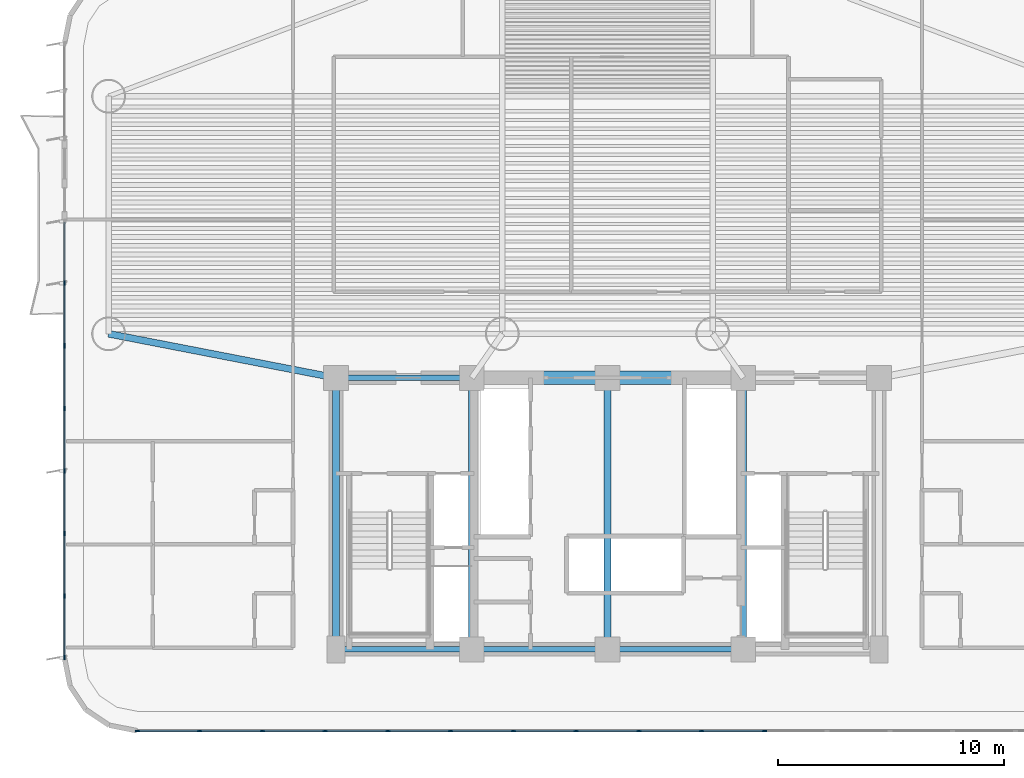
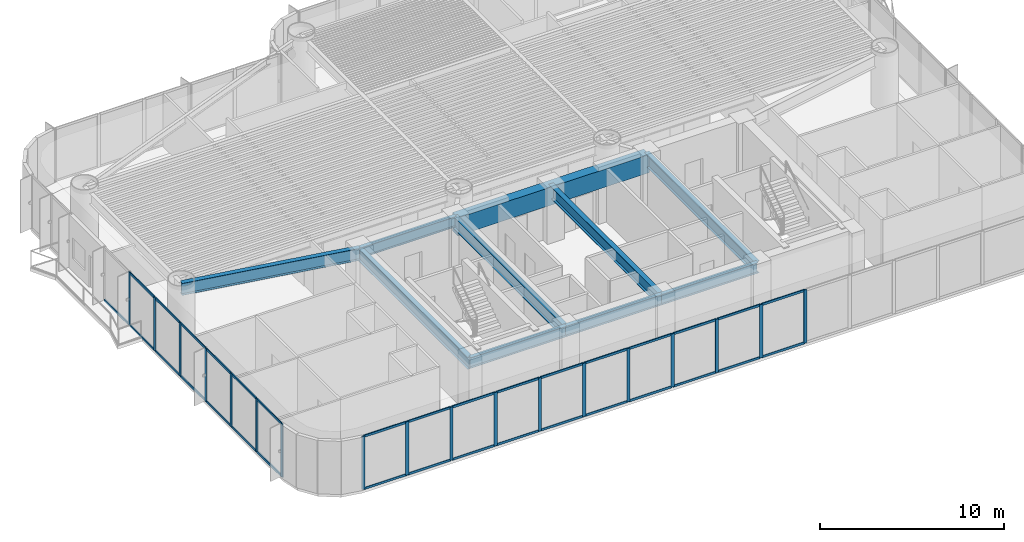
# One storey, part 2 of 17: 51 members, 10 beams, 2 elements without a shape of their own.
"""IFC4 building model written with IfcOpenShell, lengths in metres."""

from ifc_helpers import new_model, si_unit, direction, frame, origin, origin_2d, place, context, subcontext, project, spatial, rectangle, i_section, extrude, source, transform, mapped, material, layer, layer_set, material_profile, profile_set, type_object, element, aggregate, save


model = new_model("IFC4")

# Units and contexts
model_context = context("Model", 3, precision=1e-05, world=origin(), true_north=direction((0.0, 1.0)))
body_context = subcontext(model_context, "Body", "Model", "MODEL_VIEW")
ifc_project = project(units=[si_unit("LENGTHUNIT", "METRE"), si_unit("AREAUNIT", "SQUARE_METRE"), si_unit("VOLUMEUNIT", "CUBIC_METRE"), si_unit("PLANEANGLEUNIT", "RADIAN"), si_unit("MASSUNIT", "GRAM", prefix="KILO")], contexts=[model_context])

# Site, building, storey
site_placement = place(None, origin())
site = spatial("IfcSite", under=ifc_project, at=site_placement, CompositionType="ELEMENT")
building_placement = place(site_placement, origin())
building = spatial("IfcBuilding", under=site, at=building_placement, Name="Brelvock Crest Care Tower", CompositionType="ELEMENT")
storey_placement = place(building_placement, frame((0.0, 0.0, 45.89990234375)))
storey = spatial("IfcBuildingStorey", under=building, at=storey_placement, Name="L11", CompositionType="ELEMENT", Elevation=45.89990234375)

# Beams
ifc_material_1 = material(Name="Concrete S80 (80 MPa)", Category="concrete")
ifc_material_profile_1 = material_profile(ifc_material_1, rectangle(XDim=0.60009765625, YDim=1.199951171875, at=origin_2d()), Name="RC600x1200")
ifc_profile_set_1 = profile_set([ifc_material_profile_1], Name="Concrete S80 (80 MPa)")
beam_type_1 = type_object("IfcBeamType", Name="BM-LN1", PredefinedType="LINTEL", material=ifc_profile_set_1)
shared_shape_1 = source(origin(), body_context, "Body", "SweptSolid", [
    extrude(rectangle(XDim=0.60009765625, YDim=1.199951171875, at=origin_2d()), origin(), (0.0, 0.0, 1.0), 12.0),
])
beam_1_placement = place(storey_placement, frame((30.0, 18.0, 2.93017578125), z_axis=(1.0, 0.0, 0.0), x_axis=(0.0, 1.0, 0.0)))
element("IfcBeam", 1, at=beam_1_placement, inside=storey, type_object=beam_type_1, Name="L11 Core Coupling Lintel Beam", PredefinedType="LINTEL", context=body_context, shape_type="MappedRepresentation", body=[
    mapped(shared_shape_1, transform((0.0, 0.0, 0.0), x_axis=(1.0, 0.0, 0.0), y_axis=(0.0, 1.0, 0.0), z_axis=(0.0, 0.0, 1.0), scale=1.0)),
])
ifc_material_2 = material(Name="Steel Grade 350", Category="steel")
ifc_material_profile_2 = material_profile(ifc_material_2, i_section(OverallWidth=0.25, OverallDepth=0.699951171875, WebThickness=0.011962890625, FlangeThickness=0.02001953125, at=origin_2d()), Name="700WB150")
ifc_profile_set_2 = profile_set([ifc_material_profile_2], Name="Steel Grade 350")
beam_type_2 = type_object("IfcBeamType", Name="BM-G4", PredefinedType="BEAM", material=ifc_profile_set_2)
shared_shape_2 = source(origin(), body_context, "Body", "SweptSolid", [
    extrude(i_section(OverallWidth=0.25, OverallDepth=0.699951171875, WebThickness=0.011962890625, FlangeThickness=0.02001953125, at=origin_2d()), origin(), (0.0, 0.0, 1.0), 6.0),
])
for number, where, z_axis, x_axis, name in (
    (2, (24.0, 6.0, 3.18017578125), (1.0, 0.0, 0.0), (0.0, 1.0, 0.0), "BM-CORES-L11-1"),
    (3, (24.0, 18.0, 3.18017578125), (1.0, 0.0, 0.0), (0.0, 1.0, 0.0), "BM-COREN-L11-1"),
    (4, (30.0, 6.0, 3.18017578125), (1.0, 0.0, 0.0), (0.0, 1.0, 0.0), "BM-CORES-L11-2"),
    (5, (36.0, 6.0, 3.18017578125), (1.0, 0.0, 0.0), (0.0, 1.0, 0.0), "BM-CORES-L11-3"),
):
    element("IfcBeam", number, at=place(storey_placement, frame(where, z_axis=z_axis, x_axis=x_axis)), inside=storey, type_object=beam_type_2, Name=name, PredefinedType="BEAM", context=body_context, shape_type="MappedRepresentation", body=[
        mapped(shared_shape_2, transform((0.0, 0.0, 0.0), x_axis=(1.0, 0.0, 0.0), y_axis=(0.0, 1.0, 0.0), z_axis=(0.0, 0.0, 1.0), scale=1.0)),
    ])
ifc_material_profile_3 = material_profile(ifc_material_2, i_section(OverallWidth=0.300048828125, OverallDepth=0.800048828125, WebThickness=0.013916015625, FlangeThickness=0.02197265625, at=origin_2d()), Name="800WB192")
ifc_profile_set_3 = profile_set([ifc_material_profile_3], Name="Steel Grade 350")
beam_type_3 = type_object("IfcBeamType", Name="BM-G5", PredefinedType="BEAM", material=ifc_profile_set_3)
shared_shape_3 = source(origin(), body_context, "Body", "SweptSolid", [
    extrude(i_section(OverallWidth=0.300048828125, OverallDepth=0.800048828125, WebThickness=0.013916015625, FlangeThickness=0.02197265625, at=origin_2d()), origin(), (0.0, 0.0, 1.0), 12.0),
])
for number, where, z_axis, x_axis, name in (
    (6, (24.0, 6.0, 3.130126953125), (0.0, 1.0, 0.0), (-1.0, 0.0, 0.0), "BM-COREX-L11-1"),
    (7, (30.0, 6.0, 3.130126953125), (0.0, 1.0, 0.0), (-1.0, 0.0, 0.0), "BM-COREX-L11-2"),
    (8, (36.0, 6.0, 3.130126953125), (0.0, 1.0, 0.0), (-1.0, 0.0, 0.0), "BM-COREX-L11-3"),
    (9, (42.0, 6.0, 3.130126953125), (0.0, 1.0, 0.0), (-1.0, 0.0, 0.0), "BM-COREX-L11-4"),
):
    element("IfcBeam", number, at=place(storey_placement, frame(where, z_axis=z_axis, x_axis=x_axis)), inside=storey, type_object=beam_type_3, Name=name, PredefinedType="BEAM", context=body_context, shape_type="MappedRepresentation", body=[
        mapped(shared_shape_3, transform((0.0, 0.0, 0.0), x_axis=(1.0, 0.0, 0.0), y_axis=(0.0, 1.0, 0.0), z_axis=(0.0, 0.0, 1.0), scale=1.0)),
    ])
shared_shape_4 = source(origin(), body_context, "Body", "SweptSolid", [
    extrude(i_section(OverallWidth=0.300048828125, OverallDepth=0.800048828125, WebThickness=0.013916015625, FlangeThickness=0.02197265625, at=origin_2d()), origin(), (0.0, 0.0, 1.0), 10.237548828125),
])
beam_2_placement = place(storey_placement, frame((24.0, 18.0, 3.130126953125), z_axis=(-0.981692632568, 0.190471979991, 0.0), x_axis=(-0.190471979991, -0.981692632568, 0.0)))
element("IfcBeam", 10, at=beam_2_placement, inside=storey, type_object=beam_type_3, Name="BM-THRO-W-L11", PredefinedType="BEAM", context=body_context, shape_type="MappedRepresentation", body=[
    mapped(shared_shape_4, transform((0.0, 0.0, 0.0), x_axis=(1.0, 0.0, 0.0), y_axis=(0.0, 1.0, 0.0), z_axis=(0.0, 0.0, 1.0), scale=1.0)),
])

# Curtain wall, members
ifc_material_3 = material(Name="Dark Glass Double Glazed Low-E", Category="glass")
ifc_layer = layer(ifc_material_3, 0.195068359375, Name="CWS-2")
ifc_layer_set = layer_set([ifc_layer], Name="Dark Glass Double Glazed Low-E")
curtain_wall_type = type_object("IfcCurtainWallType", Name="CWS-2", PredefinedType="NOTDEFINED", material=ifc_layer_set)
curtain_wall_1_placement = place(storey_placement, origin())
curtain_wall_1 = element("IfcCurtainWall", 11, at=curtain_wall_1_placement, inside=storey, type_object=curtain_wall_type, Name="L11 Curtain Wall E08", PredefinedType="NOTDEFINED")
ifc_material_4 = material(Name="Aluminium 6063-T6", Category="aluminium")
ifc_material_profile_4 = material_profile(ifc_material_4, rectangle(XDim=0.06494140625, YDim=0.199951171875, at=origin_2d()), Name="ALU65x200")
ifc_profile_set_4 = profile_set([ifc_material_profile_4], Name="Aluminium 6063-T6")
member_type_1 = type_object("IfcMemberType", Name="CWM-1", PredefinedType="MULLION", material=ifc_profile_set_4)
shared_shape_5 = source(origin(), body_context, "Body", "SweptSolid", [
    extrude(rectangle(XDim=0.06494140625, YDim=0.199951171875, at=origin_2d()), origin(), (0.0, 0.0, 1.0), 3.530029296875),
])
member_1_placement = place(storey_placement, frame((42.933349609375, 2.39990234375, 0.0), z_axis=(0.0, 0.0, 1.0), x_axis=(0.0, -1.0, 0.0)))
member_1 = element("IfcMember", 12, at=member_1_placement, type_object=member_type_1, Name="CW-2 mullion 6", PredefinedType="MULLION", context=body_context, shape_type="MappedRepresentation", body=[
    mapped(shared_shape_5, transform((0.0, 0.0, 0.0), x_axis=(1.0, 0.0, 0.0), y_axis=(0.0, 1.0, 0.0), z_axis=(0.0, 0.0, 1.0), scale=1.0)),
])
member_2_placement = place(storey_placement, frame((40.159912109375, 2.39990234375, 0.0), z_axis=(0.0, 0.0, 1.0), x_axis=(0.0, -1.0, 0.0)))
member_2 = element("IfcMember", 13, at=member_2_placement, type_object=member_type_1, Name="CW-2 mullion 7", PredefinedType="MULLION", context=body_context, shape_type="MappedRepresentation", body=[
    mapped(shared_shape_5, transform((0.0, 0.0, 0.0), x_axis=(1.0, 0.0, 0.0), y_axis=(0.0, 1.0, 0.0), z_axis=(0.0, 0.0, 1.0), scale=1.0)),
])
member_3_placement = place(storey_placement, frame((37.38671875, 2.39990234375, 0.0), z_axis=(0.0, 0.0, 1.0), x_axis=(0.0, -1.0, 0.0)))
member_3 = element("IfcMember", 14, at=member_3_placement, type_object=member_type_1, Name="CW-2 mullion 8", PredefinedType="MULLION", context=body_context, shape_type="MappedRepresentation", body=[
    mapped(shared_shape_5, transform((0.0, 0.0, 0.0), x_axis=(1.0, 0.0, 0.0), y_axis=(0.0, 1.0, 0.0), z_axis=(0.0, 0.0, 1.0), scale=1.0)),
])
member_4_placement = place(storey_placement, frame((34.61328125, 2.39990234375, 0.0), z_axis=(0.0, 0.0, 1.0), x_axis=(0.0, -1.0, 0.0)))
member_4 = element("IfcMember", 15, at=member_4_placement, type_object=member_type_1, Name="CW-2 mullion 9", PredefinedType="MULLION", context=body_context, shape_type="MappedRepresentation", body=[
    mapped(shared_shape_5, transform((0.0, 0.0, 0.0), x_axis=(1.0, 0.0, 0.0), y_axis=(0.0, 1.0, 0.0), z_axis=(0.0, 0.0, 1.0), scale=1.0)),
])
member_5_placement = place(storey_placement, frame((31.840087890625, 2.39990234375, 0.0), z_axis=(0.0, 0.0, 1.0), x_axis=(0.0, -1.0, 0.0)))
member_5 = element("IfcMember", 16, at=member_5_placement, type_object=member_type_1, Name="CW-2 mullion 10", PredefinedType="MULLION", context=body_context, shape_type="MappedRepresentation", body=[
    mapped(shared_shape_5, transform((0.0, 0.0, 0.0), x_axis=(1.0, 0.0, 0.0), y_axis=(0.0, 1.0, 0.0), z_axis=(0.0, 0.0, 1.0), scale=1.0)),
])
member_6_placement = place(storey_placement, frame((29.066650390625, 2.39990234375, 0.0), z_axis=(0.0, 0.0, 1.0), x_axis=(0.0, -1.0, 0.0)))
member_6 = element("IfcMember", 17, at=member_6_placement, type_object=member_type_1, Name="CW-2 mullion 11", PredefinedType="MULLION", context=body_context, shape_type="MappedRepresentation", body=[
    mapped(shared_shape_5, transform((0.0, 0.0, 0.0), x_axis=(1.0, 0.0, 0.0), y_axis=(0.0, 1.0, 0.0), z_axis=(0.0, 0.0, 1.0), scale=1.0)),
])
member_7_placement = place(storey_placement, frame((26.293212890625, 2.39990234375, 0.0), z_axis=(0.0, 0.0, 1.0), x_axis=(0.0, -1.0, 0.0)))
member_7 = element("IfcMember", 18, at=member_7_placement, type_object=member_type_1, Name="CW-2 mullion 12", PredefinedType="MULLION", context=body_context, shape_type="MappedRepresentation", body=[
    mapped(shared_shape_5, transform((0.0, 0.0, 0.0), x_axis=(1.0, 0.0, 0.0), y_axis=(0.0, 1.0, 0.0), z_axis=(0.0, 0.0, 1.0), scale=1.0)),
])
member_8_placement = place(storey_placement, frame((23.52001953125, 2.39990234375, 0.0), z_axis=(0.0, 0.0, 1.0), x_axis=(0.0, -1.0, 0.0)))
member_8 = element("IfcMember", 19, at=member_8_placement, type_object=member_type_1, Name="CW-2 mullion 13", PredefinedType="MULLION", context=body_context, shape_type="MappedRepresentation", body=[
    mapped(shared_shape_5, transform((0.0, 0.0, 0.0), x_axis=(1.0, 0.0, 0.0), y_axis=(0.0, 1.0, 0.0), z_axis=(0.0, 0.0, 1.0), scale=1.0)),
])
member_9_placement = place(storey_placement, frame((20.74658203125, 2.39990234375, 0.0), z_axis=(0.0, 0.0, 1.0), x_axis=(0.0, -1.0, 0.0)))
member_9 = element("IfcMember", 20, at=member_9_placement, type_object=member_type_1, Name="CW-2 mullion 14", PredefinedType="MULLION", context=body_context, shape_type="MappedRepresentation", body=[
    mapped(shared_shape_5, transform((0.0, 0.0, 0.0), x_axis=(1.0, 0.0, 0.0), y_axis=(0.0, 1.0, 0.0), z_axis=(0.0, 0.0, 1.0), scale=1.0)),
])
member_10_placement = place(storey_placement, frame((17.973388671875, 2.39990234375, 0.0), z_axis=(0.0, 0.0, 1.0), x_axis=(0.0, -1.0, 0.0)))
member_10 = element("IfcMember", 21, at=member_10_placement, type_object=member_type_1, Name="CW-2 mullion 15", PredefinedType="MULLION", context=body_context, shape_type="MappedRepresentation", body=[
    mapped(shared_shape_5, transform((0.0, 0.0, 0.0), x_axis=(1.0, 0.0, 0.0), y_axis=(0.0, 1.0, 0.0), z_axis=(0.0, 0.0, 1.0), scale=1.0)),
])
member_11_placement = place(storey_placement, frame((15.232421875, 2.39990234375, 0.0), z_axis=(0.0, 0.0, 1.0), x_axis=(0.0, -1.0, 0.0)))
member_11 = element("IfcMember", 22, at=member_11_placement, type_object=member_type_1, Name="CW-2 mullion 16", PredefinedType="MULLION", context=body_context, shape_type="MappedRepresentation", body=[
    mapped(shared_shape_5, transform((0.0, 0.0, 0.0), x_axis=(1.0, 0.0, 0.0), y_axis=(0.0, 1.0, 0.0), z_axis=(0.0, 0.0, 1.0), scale=1.0)),
])

curtain_wall_2_placement = place(storey_placement, origin())
curtain_wall_2 = element("IfcCurtainWall", 23, at=curtain_wall_2_placement, inside=storey, type_object=curtain_wall_type, Name="L11 Curtain Wall E13A", PredefinedType="NOTDEFINED")
member_12_placement = place(storey_placement, frame((12.0, 5.632568359375, 0.0), z_axis=(0.0, 0.0, 1.0), x_axis=(-1.0, 0.0, 0.0)))
member_12 = element("IfcMember", 24, at=member_12_placement, type_object=member_type_1, Name="CW-2 mullion 1", PredefinedType="MULLION", context=body_context, shape_type="MappedRepresentation", body=[
    mapped(shared_shape_5, transform((0.0, 0.0, 0.0), x_axis=(1.0, 0.0, 0.0), y_axis=(0.0, 1.0, 0.0), z_axis=(0.0, 0.0, 1.0), scale=1.0)),
])
member_13_placement = place(storey_placement, frame((12.0, 8.3642578125, 0.0), z_axis=(0.0, 0.0, 1.0), x_axis=(-1.0, 0.0, 0.0)))
member_13 = element("IfcMember", 25, at=member_13_placement, type_object=member_type_1, Name="CW-2 mullion 2", PredefinedType="MULLION", context=body_context, shape_type="MappedRepresentation", body=[
    mapped(shared_shape_5, transform((0.0, 0.0, 0.0), x_axis=(1.0, 0.0, 0.0), y_axis=(0.0, 1.0, 0.0), z_axis=(0.0, 0.0, 1.0), scale=1.0)),
])
member_14_placement = place(storey_placement, frame((12.0, 11.128662109375, 0.0), z_axis=(0.0, 0.0, 1.0), x_axis=(-1.0, 0.0, 0.0)))
member_14 = element("IfcMember", 26, at=member_14_placement, type_object=member_type_1, Name="CW-2 mullion 3", PredefinedType="MULLION", context=body_context, shape_type="MappedRepresentation", body=[
    mapped(shared_shape_5, transform((0.0, 0.0, 0.0), x_axis=(1.0, 0.0, 0.0), y_axis=(0.0, 1.0, 0.0), z_axis=(0.0, 0.0, 1.0), scale=1.0)),
])
member_15_placement = place(storey_placement, frame((12.0, 13.892822265625, 0.0), z_axis=(0.0, 0.0, 1.0), x_axis=(-1.0, 0.0, 0.0)))
member_15 = element("IfcMember", 27, at=member_15_placement, type_object=member_type_1, Name="CW-2 mullion 4", PredefinedType="MULLION", context=body_context, shape_type="MappedRepresentation", body=[
    mapped(shared_shape_5, transform((0.0, 0.0, 0.0), x_axis=(1.0, 0.0, 0.0), y_axis=(0.0, 1.0, 0.0), z_axis=(0.0, 0.0, 1.0), scale=1.0)),
])
member_16_placement = place(storey_placement, frame((12.0, 16.6572265625, 0.0), z_axis=(0.0, 0.0, 1.0), x_axis=(-1.0, 0.0, 0.0)))
member_16 = element("IfcMember", 28, at=member_16_placement, type_object=member_type_1, Name="CW-2 mullion 5", PredefinedType="MULLION", context=body_context, shape_type="MappedRepresentation", body=[
    mapped(shared_shape_5, transform((0.0, 0.0, 0.0), x_axis=(1.0, 0.0, 0.0), y_axis=(0.0, 1.0, 0.0), z_axis=(0.0, 0.0, 1.0), scale=1.0)),
])
member_17_placement = place(storey_placement, frame((12.0, 19.42138671875, 0.0), z_axis=(0.0, 0.0, 1.0), x_axis=(-1.0, 0.0, 0.0)))
member_17 = element("IfcMember", 29, at=member_17_placement, type_object=member_type_1, Name="CW-2 mullion 6", PredefinedType="MULLION", context=body_context, shape_type="MappedRepresentation", body=[
    mapped(shared_shape_5, transform((0.0, 0.0, 0.0), x_axis=(1.0, 0.0, 0.0), y_axis=(0.0, 1.0, 0.0), z_axis=(0.0, 0.0, 1.0), scale=1.0)),
])
member_18_placement = place(storey_placement, frame((12.0, 22.185791015625, 0.0), z_axis=(0.0, 0.0, 1.0), x_axis=(-1.0, 0.0, 0.0)))
member_18 = element("IfcMember", 30, at=member_18_placement, type_object=member_type_1, Name="CW-2 mullion 7", PredefinedType="MULLION", context=body_context, shape_type="MappedRepresentation", body=[
    mapped(shared_shape_5, transform((0.0, 0.0, 0.0), x_axis=(1.0, 0.0, 0.0), y_axis=(0.0, 1.0, 0.0), z_axis=(0.0, 0.0, 1.0), scale=1.0)),
])

# Member
ifc_material_profile_5 = material_profile(ifc_material_4, rectangle(XDim=0.06494140625, YDim=0.14990234375, at=origin_2d()), Name="ALU65x150")
ifc_profile_set_5 = profile_set([ifc_material_profile_5], Name="Aluminium 6063-T6")
member_type_2 = type_object("IfcMemberType", Name="CWT-1", PredefinedType="USERDEFINED", material=ifc_profile_set_5)
shared_shape_6 = source(origin(), body_context, "Body", "SweptSolid", [
    extrude(rectangle(XDim=0.06494140625, YDim=0.14990234375, at=origin_2d()), origin(), (0.0, 0.0, 1.0), 2.676025390625),
])
member_19_placement = place(storey_placement, frame((17.94091796875, 2.39990234375, 0.03271484375), z_axis=(-1.0, 0.0, 0.0), x_axis=(0.0, -1.0, 0.0)))
member_19 = element("IfcMember", 31, at=member_19_placement, type_object=member_type_2, Name="CW-2 transom 15.1", ObjectType="TRANSOM", PredefinedType="USERDEFINED", context=body_context, shape_type="MappedRepresentation", body=[
    mapped(shared_shape_6, transform((0.0, 0.0, 0.0), x_axis=(1.0, 0.0, 0.0), y_axis=(0.0, 1.0, 0.0), z_axis=(0.0, 0.0, 1.0), scale=1.0)),
])

member_20_placement = place(storey_placement, frame((17.94091796875, 2.39990234375, 3.49755859375), z_axis=(-1.0, 0.0, 0.0), x_axis=(0.0, -1.0, 0.0)))
member_20 = element("IfcMember", 32, at=member_20_placement, type_object=member_type_2, Name="CW-2 transom 15.2", ObjectType="TRANSOM", PredefinedType="USERDEFINED", context=body_context, shape_type="MappedRepresentation", body=[
    mapped(shared_shape_6, transform((0.0, 0.0, 0.0), x_axis=(1.0, 0.0, 0.0), y_axis=(0.0, 1.0, 0.0), z_axis=(0.0, 0.0, 1.0), scale=1.0)),
])

shared_shape_7 = source(origin(), body_context, "Body", "SweptSolid", [
    extrude(rectangle(XDim=0.06494140625, YDim=0.14990234375, at=origin_2d()), origin(), (0.0, 0.0, 1.0), 2.708251953125),
])
member_21_placement = place(storey_placement, frame((40.12744140625, 2.39990234375, 0.03271484375), z_axis=(-1.0, 0.0, 0.0), x_axis=(0.0, -1.0, 0.0)))
member_21 = element("IfcMember", 33, at=member_21_placement, type_object=member_type_2, Name="CW-2 transom 7.1", ObjectType="TRANSOM", PredefinedType="USERDEFINED", context=body_context, shape_type="MappedRepresentation", body=[
    mapped(shared_shape_7, transform((0.0, 0.0, 0.0), x_axis=(1.0, 0.0, 0.0), y_axis=(0.0, 1.0, 0.0), z_axis=(0.0, 0.0, 1.0), scale=1.0)),
])

member_22_placement = place(storey_placement, frame((40.12744140625, 2.39990234375, 3.49755859375), z_axis=(-1.0, 0.0, 0.0), x_axis=(0.0, -1.0, 0.0)))
member_22 = element("IfcMember", 34, at=member_22_placement, type_object=member_type_2, Name="CW-2 transom 7.2", ObjectType="TRANSOM", PredefinedType="USERDEFINED", context=body_context, shape_type="MappedRepresentation", body=[
    mapped(shared_shape_7, transform((0.0, 0.0, 0.0), x_axis=(1.0, 0.0, 0.0), y_axis=(0.0, 1.0, 0.0), z_axis=(0.0, 0.0, 1.0), scale=1.0)),
])

member_23_placement = place(storey_placement, frame((34.580810546875, 2.39990234375, 0.03271484375), z_axis=(-1.0, 0.0, 0.0), x_axis=(0.0, -1.0, 0.0)))
member_23 = element("IfcMember", 35, at=member_23_placement, type_object=member_type_2, Name="CW-2 transom 9.1", ObjectType="TRANSOM", PredefinedType="USERDEFINED", context=body_context, shape_type="MappedRepresentation", body=[
    mapped(shared_shape_7, transform((0.0, 0.0, 0.0), x_axis=(1.0, 0.0, 0.0), y_axis=(0.0, 1.0, 0.0), z_axis=(0.0, 0.0, 1.0), scale=1.0)),
])

member_24_placement = place(storey_placement, frame((34.580810546875, 2.39990234375, 3.49755859375), z_axis=(-1.0, 0.0, 0.0), x_axis=(0.0, -1.0, 0.0)))
member_24 = element("IfcMember", 36, at=member_24_placement, type_object=member_type_2, Name="CW-2 transom 9.2", ObjectType="TRANSOM", PredefinedType="USERDEFINED", context=body_context, shape_type="MappedRepresentation", body=[
    mapped(shared_shape_7, transform((0.0, 0.0, 0.0), x_axis=(1.0, 0.0, 0.0), y_axis=(0.0, 1.0, 0.0), z_axis=(0.0, 0.0, 1.0), scale=1.0)),
])

member_25_placement = place(storey_placement, frame((29.0341796875, 2.39990234375, 0.03271484375), z_axis=(-1.0, 0.0, 0.0), x_axis=(0.0, -1.0, 0.0)))
member_25 = element("IfcMember", 37, at=member_25_placement, type_object=member_type_2, Name="CW-2 transom 11.1", ObjectType="TRANSOM", PredefinedType="USERDEFINED", context=body_context, shape_type="MappedRepresentation", body=[
    mapped(shared_shape_7, transform((0.0, 0.0, 0.0), x_axis=(1.0, 0.0, 0.0), y_axis=(0.0, 1.0, 0.0), z_axis=(0.0, 0.0, 1.0), scale=1.0)),
])

member_26_placement = place(storey_placement, frame((29.0341796875, 2.39990234375, 3.49755859375), z_axis=(-1.0, 0.0, 0.0), x_axis=(0.0, -1.0, 0.0)))
member_26 = element("IfcMember", 38, at=member_26_placement, type_object=member_type_2, Name="CW-2 transom 11.2", ObjectType="TRANSOM", PredefinedType="USERDEFINED", context=body_context, shape_type="MappedRepresentation", body=[
    mapped(shared_shape_7, transform((0.0, 0.0, 0.0), x_axis=(1.0, 0.0, 0.0), y_axis=(0.0, 1.0, 0.0), z_axis=(0.0, 0.0, 1.0), scale=1.0)),
])

member_27_placement = place(storey_placement, frame((26.2607421875, 2.39990234375, 0.03271484375), z_axis=(-1.0, 0.0, 0.0), x_axis=(0.0, -1.0, 0.0)))
member_27 = element("IfcMember", 39, at=member_27_placement, type_object=member_type_2, Name="CW-2 transom 12.1", ObjectType="TRANSOM", PredefinedType="USERDEFINED", context=body_context, shape_type="MappedRepresentation", body=[
    mapped(shared_shape_7, transform((0.0, 0.0, 0.0), x_axis=(1.0, 0.0, 0.0), y_axis=(0.0, 1.0, 0.0), z_axis=(0.0, 0.0, 1.0), scale=1.0)),
])

member_28_placement = place(storey_placement, frame((26.2607421875, 2.39990234375, 3.49755859375), z_axis=(-1.0, 0.0, 0.0), x_axis=(0.0, -1.0, 0.0)))
member_28 = element("IfcMember", 40, at=member_28_placement, type_object=member_type_2, Name="CW-2 transom 12.2", ObjectType="TRANSOM", PredefinedType="USERDEFINED", context=body_context, shape_type="MappedRepresentation", body=[
    mapped(shared_shape_7, transform((0.0, 0.0, 0.0), x_axis=(1.0, 0.0, 0.0), y_axis=(0.0, 1.0, 0.0), z_axis=(0.0, 0.0, 1.0), scale=1.0)),
])

member_29_placement = place(storey_placement, frame((20.714111328125, 2.39990234375, 0.03271484375), z_axis=(-1.0, 0.0, 0.0), x_axis=(0.0, -1.0, 0.0)))
member_29 = element("IfcMember", 41, at=member_29_placement, type_object=member_type_2, Name="CW-2 transom 14.1", ObjectType="TRANSOM", PredefinedType="USERDEFINED", context=body_context, shape_type="MappedRepresentation", body=[
    mapped(shared_shape_7, transform((0.0, 0.0, 0.0), x_axis=(1.0, 0.0, 0.0), y_axis=(0.0, 1.0, 0.0), z_axis=(0.0, 0.0, 1.0), scale=1.0)),
])

member_30_placement = place(storey_placement, frame((20.714111328125, 2.39990234375, 3.49755859375), z_axis=(-1.0, 0.0, 0.0), x_axis=(0.0, -1.0, 0.0)))
member_30 = element("IfcMember", 42, at=member_30_placement, type_object=member_type_2, Name="CW-2 transom 14.2", ObjectType="TRANSOM", PredefinedType="USERDEFINED", context=body_context, shape_type="MappedRepresentation", body=[
    mapped(shared_shape_7, transform((0.0, 0.0, 0.0), x_axis=(1.0, 0.0, 0.0), y_axis=(0.0, 1.0, 0.0), z_axis=(0.0, 0.0, 1.0), scale=1.0)),
])

shared_shape_8 = source(origin(), body_context, "Body", "SweptSolid", [
    extrude(rectangle(XDim=0.06494140625, YDim=0.14990234375, at=origin_2d()), origin(), (0.0, 0.0, 1.0), 2.70849609375),
])
member_31_placement = place(storey_placement, frame((42.90087890625, 2.39990234375, 0.03271484375), z_axis=(-1.0, 0.0, 0.0), x_axis=(0.0, -1.0, 0.0)))
member_31 = element("IfcMember", 43, at=member_31_placement, type_object=member_type_2, Name="CW-2 transom 6.1", ObjectType="TRANSOM", PredefinedType="USERDEFINED", context=body_context, shape_type="MappedRepresentation", body=[
    mapped(shared_shape_8, transform((0.0, 0.0, 0.0), x_axis=(1.0, 0.0, 0.0), y_axis=(0.0, 1.0, 0.0), z_axis=(0.0, 0.0, 1.0), scale=1.0)),
])

member_32_placement = place(storey_placement, frame((42.90087890625, 2.39990234375, 3.49755859375), z_axis=(-1.0, 0.0, 0.0), x_axis=(0.0, -1.0, 0.0)))
member_32 = element("IfcMember", 44, at=member_32_placement, type_object=member_type_2, Name="CW-2 transom 6.2", ObjectType="TRANSOM", PredefinedType="USERDEFINED", context=body_context, shape_type="MappedRepresentation", body=[
    mapped(shared_shape_8, transform((0.0, 0.0, 0.0), x_axis=(1.0, 0.0, 0.0), y_axis=(0.0, 1.0, 0.0), z_axis=(0.0, 0.0, 1.0), scale=1.0)),
])

member_33_placement = place(storey_placement, frame((37.354248046875, 2.39990234375, 0.03271484375), z_axis=(-1.0, 0.0, 0.0), x_axis=(0.0, -1.0, 0.0)))
member_33 = element("IfcMember", 45, at=member_33_placement, type_object=member_type_2, Name="CW-2 transom 8.1", ObjectType="TRANSOM", PredefinedType="USERDEFINED", context=body_context, shape_type="MappedRepresentation", body=[
    mapped(shared_shape_8, transform((0.0, 0.0, 0.0), x_axis=(1.0, 0.0, 0.0), y_axis=(0.0, 1.0, 0.0), z_axis=(0.0, 0.0, 1.0), scale=1.0)),
])

member_34_placement = place(storey_placement, frame((37.354248046875, 2.39990234375, 3.49755859375), z_axis=(-1.0, 0.0, 0.0), x_axis=(0.0, -1.0, 0.0)))
member_34 = element("IfcMember", 46, at=member_34_placement, type_object=member_type_2, Name="CW-2 transom 8.2", ObjectType="TRANSOM", PredefinedType="USERDEFINED", context=body_context, shape_type="MappedRepresentation", body=[
    mapped(shared_shape_8, transform((0.0, 0.0, 0.0), x_axis=(1.0, 0.0, 0.0), y_axis=(0.0, 1.0, 0.0), z_axis=(0.0, 0.0, 1.0), scale=1.0)),
])

member_35_placement = place(storey_placement, frame((31.8076171875, 2.39990234375, 0.03271484375), z_axis=(-1.0, 0.0, 0.0), x_axis=(0.0, -1.0, 0.0)))
member_35 = element("IfcMember", 47, at=member_35_placement, type_object=member_type_2, Name="CW-2 transom 10.1", ObjectType="TRANSOM", PredefinedType="USERDEFINED", context=body_context, shape_type="MappedRepresentation", body=[
    mapped(shared_shape_8, transform((0.0, 0.0, 0.0), x_axis=(1.0, 0.0, 0.0), y_axis=(0.0, 1.0, 0.0), z_axis=(0.0, 0.0, 1.0), scale=1.0)),
])

member_36_placement = place(storey_placement, frame((31.8076171875, 2.39990234375, 3.49755859375), z_axis=(-1.0, 0.0, 0.0), x_axis=(0.0, -1.0, 0.0)))
member_36 = element("IfcMember", 48, at=member_36_placement, type_object=member_type_2, Name="CW-2 transom 10.2", ObjectType="TRANSOM", PredefinedType="USERDEFINED", context=body_context, shape_type="MappedRepresentation", body=[
    mapped(shared_shape_8, transform((0.0, 0.0, 0.0), x_axis=(1.0, 0.0, 0.0), y_axis=(0.0, 1.0, 0.0), z_axis=(0.0, 0.0, 1.0), scale=1.0)),
])

member_37_placement = place(storey_placement, frame((23.487548828125, 2.39990234375, 0.03271484375), z_axis=(-1.0, 0.0, 0.0), x_axis=(0.0, -1.0, 0.0)))
member_37 = element("IfcMember", 49, at=member_37_placement, type_object=member_type_2, Name="CW-2 transom 13.1", ObjectType="TRANSOM", PredefinedType="USERDEFINED", context=body_context, shape_type="MappedRepresentation", body=[
    mapped(shared_shape_8, transform((0.0, 0.0, 0.0), x_axis=(1.0, 0.0, 0.0), y_axis=(0.0, 1.0, 0.0), z_axis=(0.0, 0.0, 1.0), scale=1.0)),
])

member_38_placement = place(storey_placement, frame((23.487548828125, 2.39990234375, 3.49755859375), z_axis=(-1.0, 0.0, 0.0), x_axis=(0.0, -1.0, 0.0)))
member_38 = element("IfcMember", 50, at=member_38_placement, type_object=member_type_2, Name="CW-2 transom 13.2", ObjectType="TRANSOM", PredefinedType="USERDEFINED", context=body_context, shape_type="MappedRepresentation", body=[
    mapped(shared_shape_8, transform((0.0, 0.0, 0.0), x_axis=(1.0, 0.0, 0.0), y_axis=(0.0, 1.0, 0.0), z_axis=(0.0, 0.0, 1.0), scale=1.0)),
])

aggregate(curtain_wall_1, [member_1, member_2, member_3, member_4, member_5, member_6, member_7, member_8, member_9, member_10, member_11, member_31, member_32, member_21, member_22, member_33, member_34, member_23, member_24, member_35, member_36, member_25, member_26, member_27, member_28, member_37, member_38, member_29, member_30, member_19, member_20])

shared_shape_9 = source(origin(), body_context, "Body", "SweptSolid", [
    extrude(rectangle(XDim=0.06494140625, YDim=0.14990234375, at=origin_2d()), origin(), (0.0, 0.0, 1.0), 2.666748046875),
])
member_39_placement = place(storey_placement, frame((12.0, 5.6650390625, 0.03271484375), z_axis=(0.0, 1.0, 0.0), x_axis=(-1.0, 0.0, 0.0)))
member_39 = element("IfcMember", 51, at=member_39_placement, type_object=member_type_2, Name="CW-2 transom 1.1", ObjectType="TRANSOM", PredefinedType="USERDEFINED", context=body_context, shape_type="MappedRepresentation", body=[
    mapped(shared_shape_9, transform((0.0, 0.0, 0.0), x_axis=(1.0, 0.0, 0.0), y_axis=(0.0, 1.0, 0.0), z_axis=(0.0, 0.0, 1.0), scale=1.0)),
])

member_40_placement = place(storey_placement, frame((12.0, 5.6650390625, 3.49755859375), z_axis=(0.0, 1.0, 0.0), x_axis=(-1.0, 0.0, 0.0)))
member_40 = element("IfcMember", 52, at=member_40_placement, type_object=member_type_2, Name="CW-2 transom 1.2", ObjectType="TRANSOM", PredefinedType="USERDEFINED", context=body_context, shape_type="MappedRepresentation", body=[
    mapped(shared_shape_9, transform((0.0, 0.0, 0.0), x_axis=(1.0, 0.0, 0.0), y_axis=(0.0, 1.0, 0.0), z_axis=(0.0, 0.0, 1.0), scale=1.0)),
])

member_41_placement = place(storey_placement, frame((12.0, 22.21826171875, 0.03271484375), z_axis=(0.0, 1.0, 0.0), x_axis=(-1.0, 0.0, 0.0)))
member_41 = element("IfcMember", 53, at=member_41_placement, type_object=member_type_2, Name="CW-2 transom 7.1", ObjectType="TRANSOM", PredefinedType="USERDEFINED", context=body_context, shape_type="MappedRepresentation", body=[
    mapped(shared_shape_9, transform((0.0, 0.0, 0.0), x_axis=(1.0, 0.0, 0.0), y_axis=(0.0, 1.0, 0.0), z_axis=(0.0, 0.0, 1.0), scale=1.0)),
])

shared_shape_10 = source(origin(), body_context, "Body", "SweptSolid", [
    extrude(rectangle(XDim=0.06494140625, YDim=0.14990234375, at=origin_2d()), origin(), (0.0, 0.0, 1.0), 2.699462890625),
])
member_42_placement = place(storey_placement, frame((12.0, 8.396728515625, 0.03271484375), z_axis=(0.0, 1.0, 0.0), x_axis=(-1.0, 0.0, 0.0)))
member_42 = element("IfcMember", 54, at=member_42_placement, type_object=member_type_2, Name="CW-2 transom 2.1", ObjectType="TRANSOM", PredefinedType="USERDEFINED", context=body_context, shape_type="MappedRepresentation", body=[
    mapped(shared_shape_10, transform((0.0, 0.0, 0.0), x_axis=(1.0, 0.0, 0.0), y_axis=(0.0, 1.0, 0.0), z_axis=(0.0, 0.0, 1.0), scale=1.0)),
])

member_43_placement = place(storey_placement, frame((12.0, 8.396728515625, 3.49755859375), z_axis=(0.0, 1.0, 0.0), x_axis=(-1.0, 0.0, 0.0)))
member_43 = element("IfcMember", 55, at=member_43_placement, type_object=member_type_2, Name="CW-2 transom 2.2", ObjectType="TRANSOM", PredefinedType="USERDEFINED", context=body_context, shape_type="MappedRepresentation", body=[
    mapped(shared_shape_10, transform((0.0, 0.0, 0.0), x_axis=(1.0, 0.0, 0.0), y_axis=(0.0, 1.0, 0.0), z_axis=(0.0, 0.0, 1.0), scale=1.0)),
])

member_44_placement = place(storey_placement, frame((12.0, 13.92529296875, 0.03271484375), z_axis=(0.0, 1.0, 0.0), x_axis=(-1.0, 0.0, 0.0)))
member_44 = element("IfcMember", 56, at=member_44_placement, type_object=member_type_2, Name="CW-2 transom 4.1", ObjectType="TRANSOM", PredefinedType="USERDEFINED", context=body_context, shape_type="MappedRepresentation", body=[
    mapped(shared_shape_10, transform((0.0, 0.0, 0.0), x_axis=(1.0, 0.0, 0.0), y_axis=(0.0, 1.0, 0.0), z_axis=(0.0, 0.0, 1.0), scale=1.0)),
])

member_45_placement = place(storey_placement, frame((12.0, 13.92529296875, 3.49755859375), z_axis=(0.0, 1.0, 0.0), x_axis=(-1.0, 0.0, 0.0)))
member_45 = element("IfcMember", 57, at=member_45_placement, type_object=member_type_2, Name="CW-2 transom 4.2", ObjectType="TRANSOM", PredefinedType="USERDEFINED", context=body_context, shape_type="MappedRepresentation", body=[
    mapped(shared_shape_10, transform((0.0, 0.0, 0.0), x_axis=(1.0, 0.0, 0.0), y_axis=(0.0, 1.0, 0.0), z_axis=(0.0, 0.0, 1.0), scale=1.0)),
])

member_46_placement = place(storey_placement, frame((12.0, 19.453857421875, 0.03271484375), z_axis=(0.0, 1.0, 0.0), x_axis=(-1.0, 0.0, 0.0)))
member_46 = element("IfcMember", 58, at=member_46_placement, type_object=member_type_2, Name="CW-2 transom 6.1", ObjectType="TRANSOM", PredefinedType="USERDEFINED", context=body_context, shape_type="MappedRepresentation", body=[
    mapped(shared_shape_10, transform((0.0, 0.0, 0.0), x_axis=(1.0, 0.0, 0.0), y_axis=(0.0, 1.0, 0.0), z_axis=(0.0, 0.0, 1.0), scale=1.0)),
])

member_47_placement = place(storey_placement, frame((12.0, 19.453857421875, 3.49755859375), z_axis=(0.0, 1.0, 0.0), x_axis=(-1.0, 0.0, 0.0)))
member_47 = element("IfcMember", 59, at=member_47_placement, type_object=member_type_2, Name="CW-2 transom 6.2", ObjectType="TRANSOM", PredefinedType="USERDEFINED", context=body_context, shape_type="MappedRepresentation", body=[
    mapped(shared_shape_10, transform((0.0, 0.0, 0.0), x_axis=(1.0, 0.0, 0.0), y_axis=(0.0, 1.0, 0.0), z_axis=(0.0, 0.0, 1.0), scale=1.0)),
])

shared_shape_11 = source(origin(), body_context, "Body", "SweptSolid", [
    extrude(rectangle(XDim=0.06494140625, YDim=0.14990234375, at=origin_2d()), origin(), (0.0, 0.0, 1.0), 2.69921875),
])
member_48_placement = place(storey_placement, frame((12.0, 11.1611328125, 0.03271484375), z_axis=(0.0, 1.0, 0.0), x_axis=(-1.0, 0.0, 0.0)))
member_48 = element("IfcMember", 60, at=member_48_placement, type_object=member_type_2, Name="CW-2 transom 3.1", ObjectType="TRANSOM", PredefinedType="USERDEFINED", context=body_context, shape_type="MappedRepresentation", body=[
    mapped(shared_shape_11, transform((0.0, 0.0, 0.0), x_axis=(1.0, 0.0, 0.0), y_axis=(0.0, 1.0, 0.0), z_axis=(0.0, 0.0, 1.0), scale=1.0)),
])

member_49_placement = place(storey_placement, frame((12.0, 11.1611328125, 3.49755859375), z_axis=(0.0, 1.0, 0.0), x_axis=(-1.0, 0.0, 0.0)))
member_49 = element("IfcMember", 61, at=member_49_placement, type_object=member_type_2, Name="CW-2 transom 3.2", ObjectType="TRANSOM", PredefinedType="USERDEFINED", context=body_context, shape_type="MappedRepresentation", body=[
    mapped(shared_shape_11, transform((0.0, 0.0, 0.0), x_axis=(1.0, 0.0, 0.0), y_axis=(0.0, 1.0, 0.0), z_axis=(0.0, 0.0, 1.0), scale=1.0)),
])

member_50_placement = place(storey_placement, frame((12.0, 16.689697265625, 0.03271484375), z_axis=(0.0, 1.0, 0.0), x_axis=(-1.0, 0.0, 0.0)))
member_50 = element("IfcMember", 62, at=member_50_placement, type_object=member_type_2, Name="CW-2 transom 5.1", ObjectType="TRANSOM", PredefinedType="USERDEFINED", context=body_context, shape_type="MappedRepresentation", body=[
    mapped(shared_shape_11, transform((0.0, 0.0, 0.0), x_axis=(1.0, 0.0, 0.0), y_axis=(0.0, 1.0, 0.0), z_axis=(0.0, 0.0, 1.0), scale=1.0)),
])

member_51_placement = place(storey_placement, frame((12.0, 16.689697265625, 3.49755859375), z_axis=(0.0, 1.0, 0.0), x_axis=(-1.0, 0.0, 0.0)))
member_51 = element("IfcMember", 63, at=member_51_placement, type_object=member_type_2, Name="CW-2 transom 5.2", ObjectType="TRANSOM", PredefinedType="USERDEFINED", context=body_context, shape_type="MappedRepresentation", body=[
    mapped(shared_shape_11, transform((0.0, 0.0, 0.0), x_axis=(1.0, 0.0, 0.0), y_axis=(0.0, 1.0, 0.0), z_axis=(0.0, 0.0, 1.0), scale=1.0)),
])

aggregate(curtain_wall_2, [member_12, member_13, member_14, member_15, member_16, member_17, member_18, member_39, member_40, member_42, member_43, member_48, member_49, member_44, member_45, member_50, member_51, member_46, member_47, member_41])

save(model, "model.ifc")
